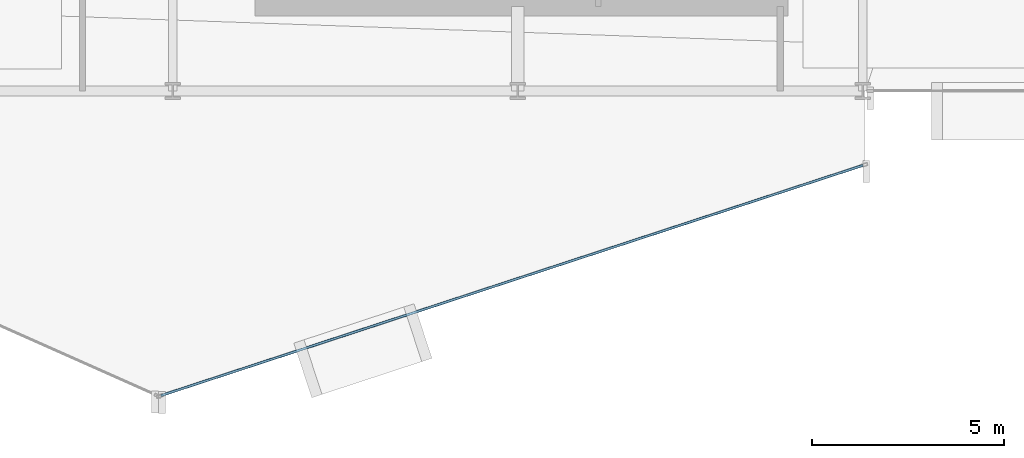
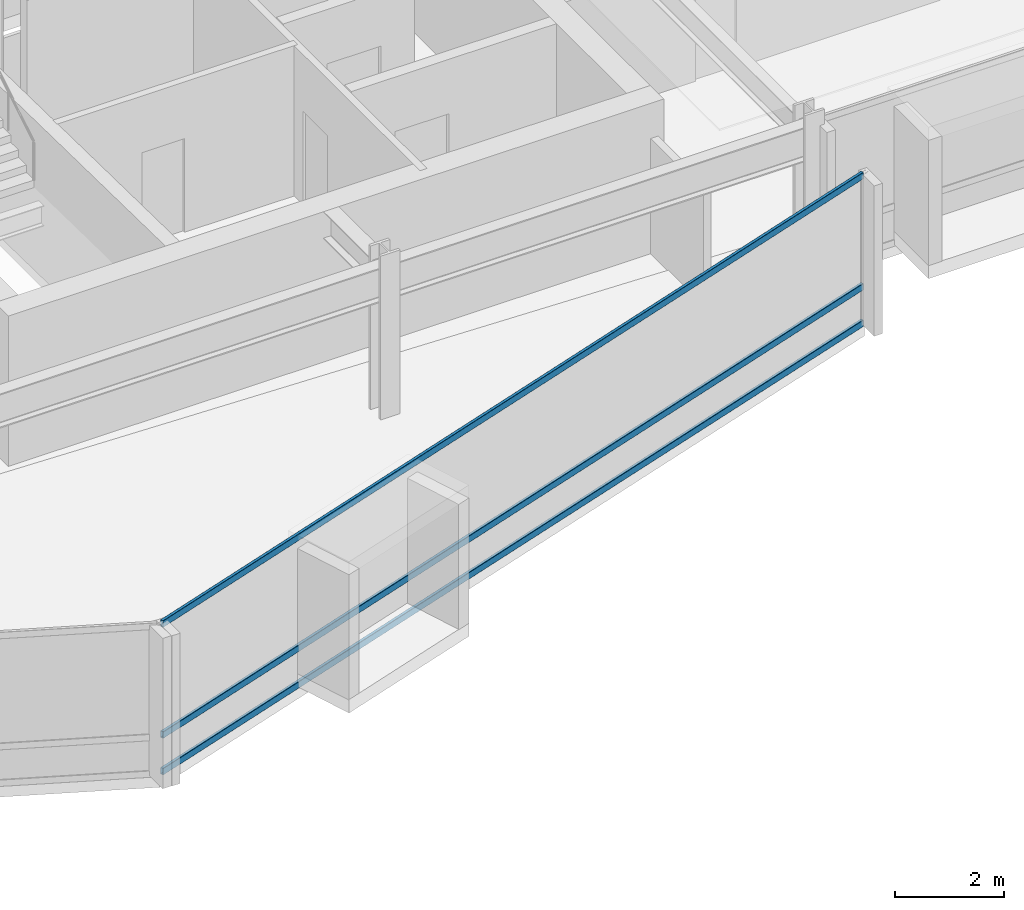
# One storey, part 9 of 29: 3 members, 1 element without a shape of its own.
"""IFC4 building model written with IfcOpenShell, lengths in metres."""

from ifc_helpers import new_model, si_unit, direction, frame, origin, origin_2d, place, context, subcontext, project, spatial, hollow_rectangle, extrude, material, layer, layer_set, material_profile, profile_set, type_object, element, aggregate, save


model = new_model("IFC4")

# Units and contexts
model_context = context("Model", 3, precision=1e-05, world=origin(), true_north=direction((0.0, 1.0)))
body_context = subcontext(model_context, "Body", "Model", "MODEL_VIEW")
ifc_project = project(units=[si_unit("LENGTHUNIT", "METRE"), si_unit("AREAUNIT", "SQUARE_METRE"), si_unit("VOLUMEUNIT", "CUBIC_METRE"), si_unit("PLANEANGLEUNIT", "RADIAN"), si_unit("MASSUNIT", "GRAM", prefix="KILO")], contexts=[model_context])

# Site, building, storey
site_placement = place(None, origin())
site = spatial("IfcSite", under=ifc_project, at=site_placement, CompositionType="ELEMENT")
building_placement = place(site_placement, origin())
building = spatial("IfcBuilding", under=site, at=building_placement, Name="Solvaryn Broadcast Tower", CompositionType="ELEMENT")
storey_placement = place(building_placement, frame((0.0, 0.0, 165.5)))
storey = spatial("IfcBuildingStorey", under=building, at=storey_placement, Name="L41", CompositionType="ELEMENT", Elevation=165.5)

# Curtain wall, members
ifc_material_1 = material(Name="Aluminium and Terracotta Unitised Curtain Wall", Category="masonry")
ifc_layer = layer(ifc_material_1, 0.199951171875)
ifc_layer_set = layer_set([ifc_layer], Name="CW-SYS2-LOWMID")
curtain_wall_type = type_object("IfcCurtainWallType", Name="CW-SYS2-LOWMID", PredefinedType="NOTDEFINED", material=ifc_layer_set)
curtain_wall_placement = place(storey_placement, origin())
curtain_wall = element("IfcCurtainWall", 1, at=curtain_wall_placement, inside=storey, type_object=curtain_wall_type, Name="L41 Curtain Wall DR4", PredefinedType="NOTDEFINED")
ifc_material_2 = material(Name="Anodised Aluminium 6063-T6", Category="aluminium")
ifc_material_profile = material_profile(ifc_material_2, hollow_rectangle(XDim=0.06494140625, YDim=0.14990234375, WallThickness=0.00390625, InnerFilletRadius=0.00390625, OuterFilletRadius=0.008056640625, at=origin_2d()))
ifc_profile_set = profile_set([ifc_material_profile], Name="Anodised Aluminium 6063-T6")
member_type = type_object("IfcMemberType", Name="CW-TRN-150", PredefinedType="USERDEFINED", material=ifc_profile_set)
member_1_placement = place(storey_placement, frame((26.693115234375, 1.052734375, 0.030029296875), z_axis=(0.950198373323, 0.31164571445, 0.0), x_axis=(-0.31164571445, 0.950198373323, 0.0)))
member_1 = element("IfcMember", 2, at=member_1_placement, type_object=member_type, Name="CWS2 transom 1.1", ObjectType="TRANSOM", PredefinedType="USERDEFINED", context=body_context, shape_type="SweptSolid", body=[
    extrude(hollow_rectangle(XDim=0.06494140625, YDim=0.14990234375, WallThickness=0.00390625, InnerFilletRadius=0.00390625, OuterFilletRadius=0.008056640625, at=origin_2d()), origin(), (0.0, 0.0, 1.0), 19.27685546875),
])
member_2_placement = place(storey_placement, frame((26.693115234375, 1.052734375, 0.85009765625), z_axis=(0.950198373323, 0.31164571445, 0.0), x_axis=(-0.31164571445, 0.950198373323, 0.0)))
member_2 = element("IfcMember", 3, at=member_2_placement, type_object=member_type, Name="CWS2 transom 1.2", ObjectType="TRANSOM", PredefinedType="USERDEFINED", context=body_context, shape_type="SweptSolid", body=[
    extrude(hollow_rectangle(XDim=0.06494140625, YDim=0.14990234375, WallThickness=0.00390625, InnerFilletRadius=0.00390625, OuterFilletRadius=0.008056640625, at=origin_2d()), origin(), (0.0, 0.0, 1.0), 19.27685546875),
])
member_3_placement = place(storey_placement, frame((26.693115234375, 1.052734375, 3.340087890625), z_axis=(0.950198373323, 0.31164571445, 0.0), x_axis=(-0.31164571445, 0.950198373323, 0.0)))
member_3 = element("IfcMember", 4, at=member_3_placement, type_object=member_type, Name="CWS2 transom 1.3", ObjectType="TRANSOM", PredefinedType="USERDEFINED", context=body_context, shape_type="SweptSolid", body=[
    extrude(hollow_rectangle(XDim=0.06494140625, YDim=0.14990234375, WallThickness=0.00390625, InnerFilletRadius=0.00390625, OuterFilletRadius=0.008056640625, at=origin_2d()), origin(), (0.0, 0.0, 1.0), 19.27685546875),
])
aggregate(curtain_wall, [member_1, member_2, member_3])

save(model, "model.ifc")
